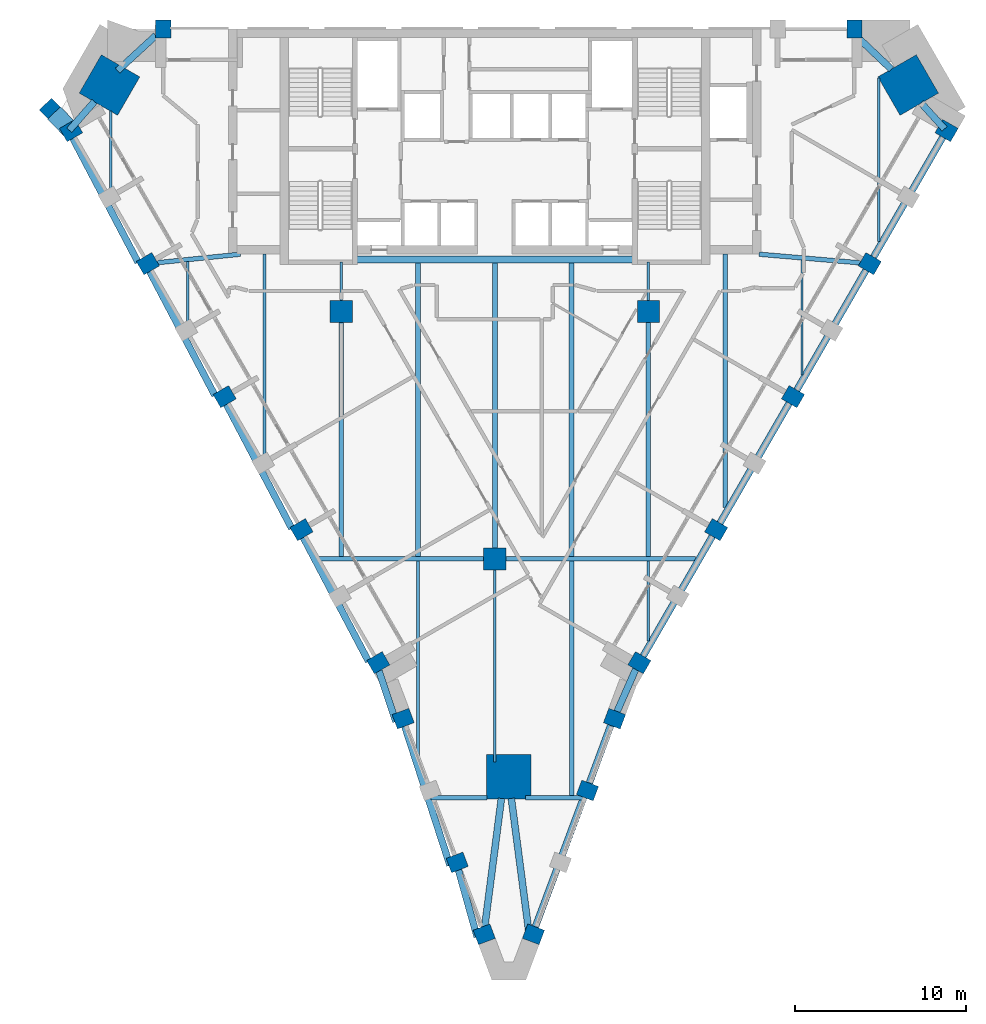
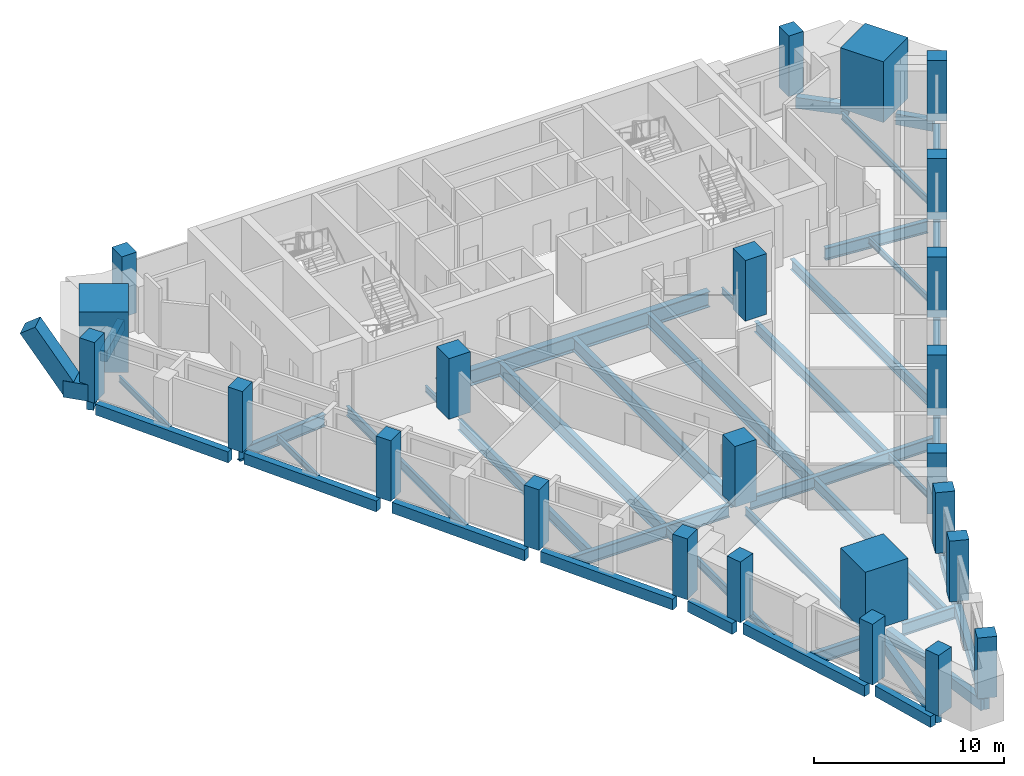
# One storey, part 1 of 9: 45 beams, 25 columns.
"""IFC4 building model written with IfcOpenShell, lengths in metres."""

from ifc_helpers import new_model, si_unit, direction, frame, origin, origin_2d, place, context, subcontext, project, spatial, rectangle, i_section, extrude, material, material_profile, profile_set, type_object, element, save


model = new_model("IFC4")

# Units and contexts
model_context = context("Model", 3, precision=1e-05, world=origin(), true_north=direction((0.0, 1.0)))
body_context = subcontext(model_context, "Body", "Model", "MODEL_VIEW")
ifc_project = project(units=[si_unit("LENGTHUNIT", "METRE"), si_unit("AREAUNIT", "SQUARE_METRE"), si_unit("VOLUMEUNIT", "CUBIC_METRE"), si_unit("PLANEANGLEUNIT", "RADIAN"), si_unit("MASSUNIT", "GRAM", prefix="KILO")], contexts=[model_context])

# Site, building, storey
site_placement = place(None, origin())
site = spatial("IfcSite", under=ifc_project, at=site_placement, CompositionType="ELEMENT")
building_placement = place(site_placement, origin())
building = spatial("IfcBuilding", under=site, at=building_placement, Name="Calabash Gate Tower", CompositionType="ELEMENT")
storey_placement = place(building_placement, frame((0.0, 0.0, 179.699951171875)))
storey = spatial("IfcBuildingStorey", under=building, at=storey_placement, Name="L42", CompositionType="ELEMENT", Elevation=179.699951171875)

# Columns
ifc_material_1 = material(Name="Concrete C70/85", Category="concrete")
ifc_material_profile_1 = material_profile(ifc_material_1, rectangle(XDim=1.300048828125, YDim=1.300048828125, at=origin_2d()))
ifc_profile_set_1 = profile_set([ifc_material_profile_1], Name="Concrete C70/85")
column_type_1 = type_object("IfcColumnType", Name="Interior column RC 1300x1300 Concrete C70/85", PredefinedType="COLUMN", material=ifc_profile_set_1)
for number, where, z_axis, x_axis, name in (
    (1, (-9.0, 2.5, 0.0), (0.0, 0.0, 1.0), (1.0, 0.0, 0.0), "Interior column L42 I0"),
    (2, (9.0, 2.5, 0.0), (0.0, 0.0, 1.0), (1.0, 0.0, 0.0), "Interior column L42 I1"),
    (3, (0.0, -12.0, 0.0), (0.0, 0.0, 1.0), (1.0, 0.0, 0.0), "Interior column L42 I2"),
):
    element("IfcColumn", number, at=place(storey_placement, frame(where, z_axis=z_axis, x_axis=x_axis)), inside=storey, type_object=column_type_1, Name=name, PredefinedType="COLUMN", context=body_context, shape_type="SweptSolid", body=[
        extrude(rectangle(XDim=1.300048828125, YDim=1.300048828125, at=origin_2d()), origin(), (0.0, 0.0, 1.0), 3.900146484375),
    ])
ifc_material_2 = material(Name="Concrete C70/85", Category="concrete")
ifc_material_profile_2 = material_profile(ifc_material_2, rectangle(XDim=2.60009765625, YDim=2.60009765625, at=origin_2d()))
ifc_profile_set_2 = profile_set([ifc_material_profile_2], Name="Concrete C70/85")
column_type_2 = type_object("IfcColumnType", Name="Mega column RC 2600x2600 Concrete C70/85", PredefinedType="COLUMN", material=ifc_profile_set_2)
for number, where, z_axis, x_axis, name in (
    (4, (-22.577880859375, 15.76806640625, 0.0), (0.0, 0.0, 1.0), (0.866025421238, -0.49999996977, 0.0), "Mega column L42 NW"),
    (5, (24.221923828125, 15.76806640625, 0.0), (0.0, 0.0, 1.0), (-0.866025421238, -0.49999996977, 0.0), "Mega column L42 NE"),
    (6, (0.822021484375, -24.762939453125, 0.0), (0.0, 0.0, 1.0), (0.0, 1.0, 0.0), "Mega column L42 S"),
):
    element("IfcColumn", number, at=place(storey_placement, frame(where, z_axis=z_axis, x_axis=x_axis)), inside=storey, type_object=column_type_2, Name=name, PredefinedType="COLUMN", context=body_context, shape_type="SweptSolid", body=[
        extrude(rectangle(XDim=2.60009765625, YDim=2.60009765625, at=origin_2d()), origin(), (0.0, 0.0, 1.0), 3.900146484375),
    ])
ifc_material_3 = material(Name="Concrete C60/75", Category="concrete")
ifc_material_profile_3 = material_profile(ifc_material_3, rectangle(XDim=0.89990234375, YDim=1.050048828125, at=origin_2d()))
ifc_profile_set_3 = profile_set([ifc_material_profile_3], Name="Concrete C60/75")
column_type_3 = type_object("IfcColumnType", Name="Perimeter column RC 900x1050 Concrete C60/75", PredefinedType="COLUMN", material=ifc_profile_set_3)
for number, where, z_axis, x_axis, name in (
    (7, (-24.827880859375, 13.096923828125, 0.0), (0.0, 0.0, 1.0), (0.5, -0.866025403784, 0.0), "Perimeter column L42 P20"),
    (8, (-20.327880859375, 5.300048828125, 0.0), (0.0, 0.0, 1.0), (0.5, -0.866025403784, 0.0), "Perimeter column L42 P00"),
    (9, (-15.827880859375, -2.493896484375, 0.0), (0.0, 0.0, 1.0), (0.5, -0.866025403784, 0.0), "Perimeter column L42 P01"),
    (10, (-11.327880859375, -10.2880859375, 0.0), (0.0, 0.0, 1.0), (0.5, -0.866025403784, 0.0), "Perimeter column L42 P02"),
    (11, (-6.827880859375, -18.08203125, 0.0), (0.0, 0.0, 1.0), (0.5, -0.866025403784, 0.0), "Perimeter column L42 P03"),
    (12, (-5.3701171875, -21.35888671875, 0.0), (0.0, 0.0, 1.0), (0.351822500991, -0.936066732555, 0.0), "Perimeter column L42 P25"),
    (13, (-2.202880859375, -29.783935546875, 0.0), (0.0, 0.0, 1.0), (0.351822500991, -0.936066732555, 0.0), "Perimeter column L42 P26"),
    (14, (-0.6201171875, -33.99609375, 0.0), (0.0, 0.0, 1.0), (0.351822500991, -0.936066732555, 0.0), "Perimeter column L42 P27"),
    (15, (2.263916015625, -33.99609375, 0.0), (0.0, 0.0, 1.0), (0.351822451979, 0.936066750977, 0.0), "Perimeter column L42 P28"),
    (16, (5.429931640625, -25.571044921875, 0.0), (0.0, 0.0, 1.0), (0.351822451979, 0.936066750977, 0.0), "Perimeter column L42 P08"),
    (17, (7.012939453125, -21.35888671875, 0.0), (0.0, 0.0, 1.0), (0.351822451979, 0.936066750977, 0.0), "Perimeter column L42 P29"),
    (18, (8.471923828125, -18.08203125, 0.0), (0.0, 0.0, 1.0), (0.5, 0.866025403784, 0.0), "Perimeter column L42 P09"),
    (19, (12.971923828125, -10.2880859375, 0.0), (0.0, 0.0, 1.0), (0.5, 0.866025403784, 0.0), "Perimeter column L42 P10"),
    (20, (17.471923828125, -2.493896484375, 0.0), (0.0, 0.0, 1.0), (0.5, 0.866025403784, 0.0), "Perimeter column L42 P11"),
    (21, (21.971923828125, 5.300048828125, 0.0), (0.0, 0.0, 1.0), (0.5, 0.866025403784, 0.0), "Perimeter column L42 P12"),
    (22, (26.471923828125, 13.096923828125, 0.0), (0.0, 0.0, 1.0), (0.5, 0.866025403784, 0.0), "Perimeter column L42 P13"),
    (23, (21.072021484375, 19.052978515625, 0.0), (0.0, 0.0, 1.0), (-1.0, 0.0, 0.0), "Perimeter column L42 P24"),
    (24, (-19.427978515625, 19.052978515625, 0.0), (0.0, 0.0, 1.0), (-1.0, 0.0, 0.0), "Perimeter column L42 P17"),
):
    element("IfcColumn", number, at=place(storey_placement, frame(where, z_axis=z_axis, x_axis=x_axis)), inside=storey, type_object=column_type_3, Name=name, PredefinedType="COLUMN", context=body_context, shape_type="SweptSolid", body=[
        extrude(rectangle(XDim=0.89990234375, YDim=1.050048828125, at=origin_2d()), origin(), (0.0, 0.0, 1.0), 3.900146484375),
    ])
ifc_material_4 = material(Name="Concrete C80/95", Category="concrete")
ifc_material_profile_4 = material_profile(ifc_material_4, rectangle(XDim=1.0, YDim=1.0, at=origin_2d()))
ifc_profile_set_4 = profile_set([ifc_material_profile_4], Name="Concrete C80/95")
column_type_4 = type_object("IfcColumnType", Name="Prow kicker column RC 1000x1000 Concrete C80/95", PredefinedType="COLUMN", material=ifc_profile_set_4)
column_placement = place(storey_placement, frame((-25.527099609375, 13.820068359375, 0.380126953125), z_axis=(-0.387672764184, 0.402968070514, 0.829051603977), x_axis=(0.574779619182, -0.597457070784, 0.55917210047)))
element("IfcColumn", 25, at=column_placement, inside=storey, type_object=column_type_4, Name="Prow kicker column L42 KP34", PredefinedType="COLUMN", context=body_context, shape_type="SweptSolid", body=[
    extrude(rectangle(XDim=1.0, YDim=1.0, at=origin_2d()), origin(), (0.0, 0.0, 1.0), 4.245849609375),
])

# Beams
ifc_material_5 = material(Name="Concrete C50/60", Category="concrete")
ifc_material_profile_5 = material_profile(ifc_material_5, rectangle(XDim=0.39990234375, YDim=0.699951171875, at=origin_2d()))
ifc_profile_set_5 = profile_set([ifc_material_profile_5], Name="Concrete C50/60")
beam_type_1 = type_object("IfcBeamType", Name="Edge beam RC 400x700 Concrete C50/60", PredefinedType="BEAM", material=ifc_profile_set_5)
for number, where, z_axis, x_axis, name in (
    (26, (-15.73291015625, -2.927978515625, -0.52001953125), (0.465570473205, -0.885010810374, 0.0), (0.885010810374, 0.465570473205, 0.0), "Edge beam L42 1"),
    (27, (-11.23291015625, -10.721923828125, -0.52001953125), (0.465570473205, -0.885010810374, 0.0), (0.885010810374, 0.465570473205, 0.0), "Edge beam L42 2"),
):
    element("IfcBeam", number, at=place(storey_placement, frame(where, z_axis=z_axis, x_axis=x_axis)), inside=storey, type_object=beam_type_1, Name=name, PredefinedType="BEAM", context=body_context, shape_type="SweptSolid", body=[
        extrude(rectangle(XDim=0.39990234375, YDim=0.699951171875, at=origin_2d()), origin(), (0.0, 0.0, 1.0), 8.235107421875),
    ])
beam_1_placement = place(storey_placement, frame((-6.7880859375, -18.56103515625, -0.52001953125), z_axis=(0.316134210582, -0.94871447807, 0.0), x_axis=(0.94871447807, 0.316134210582, 0.0)))
element("IfcBeam", 28, at=beam_1_placement, inside=storey, type_object=beam_type_1, Name="Edge beam L42 3", PredefinedType="BEAM", context=body_context, shape_type="SweptSolid", body=[
    extrude(rectangle(XDim=0.39990234375, YDim=0.699951171875, at=origin_2d()), origin(), (0.0, 0.0, 1.0), 3.131591796875),
])
beam_2_placement = place(storey_placement, frame((-5.285888671875, -21.780029296875, -0.52001953125), z_axis=(0.309062313069, -0.951041790165, 0.0), x_axis=(0.951041790165, 0.309062313069, 0.0)))
element("IfcBeam", 29, at=beam_2_placement, inside=storey, type_object=beam_type_1, Name="Edge beam L42 4", PredefinedType="BEAM", context=body_context, shape_type="SweptSolid", body=[
    extrude(rectangle(XDim=0.39990234375, YDim=0.699951171875, at=origin_2d()), origin(), (0.0, 0.0, 1.0), 8.596923828125),
])
beam_3_placement = place(storey_placement, frame((-2.132080078125, -30.220947265625, -0.52001953125), z_axis=(0.269266074932, -0.963065823758, 0.0), x_axis=(0.963065823758, 0.269266074932, 0.0)))
element("IfcBeam", 30, at=beam_3_placement, inside=storey, type_object=beam_type_1, Name="Edge beam L42 5", PredefinedType="BEAM", context=body_context, shape_type="SweptSolid", body=[
    extrude(rectangle(XDim=0.39990234375, YDim=0.699951171875, at=origin_2d()), origin(), (0.0, 0.0, 1.0), 4.08203125),
])
beam_4_placement = place(storey_placement, frame((-0.64794921875, -34.009033203125, -0.52001953125), z_axis=(0.128673439802, 0.991687020128, 0.0), x_axis=(-0.991687020128, 0.128673439802, 0.0)))
element("IfcBeam", 31, at=beam_4_placement, inside=storey, type_object=beam_type_1, Name="Edge beam L42 6", PredefinedType="BEAM", context=body_context, shape_type="SweptSolid", body=[
    extrude(rectangle(XDim=0.39990234375, YDim=0.699951171875, at=origin_2d()), origin(), (0.0, 0.0, 1.0), 8.04296875),
])
beam_5_placement = place(storey_placement, frame((0.968994140625, -26.032958984375, -0.52001953125), z_axis=(0.130054637387, -0.991506828667, 0.0), x_axis=(0.991506828667, 0.130054637387, 0.0)))
element("IfcBeam", 32, at=beam_5_placement, inside=storey, type_object=beam_type_1, Name="Edge beam L42 7", PredefinedType="BEAM", context=body_context, shape_type="SweptSolid", body=[
    extrude(rectangle(XDim=0.39990234375, YDim=0.699951171875, at=origin_2d()), origin(), (0.0, 0.0, 1.0), 8.212890625),
])
beam_6_placement = place(storey_placement, frame((2.136962890625, -34.20703125, -0.52001953125), z_axis=(0.349607583285, 0.936896225689, 0.0), x_axis=(-0.936896225689, 0.349607583285, 0.0)))
element("IfcBeam", 33, at=beam_6_placement, inside=storey, type_object=beam_type_1, Name="Edge beam L42 8", PredefinedType="BEAM", context=body_context, shape_type="SweptSolid", body=[
    extrude(rectangle(XDim=0.39990234375, YDim=0.699951171875, at=origin_2d()), origin(), (0.0, 0.0, 1.0), 8.81005859375),
])
beam_7_placement = place(storey_placement, frame((5.302978515625, -25.781982421875, -0.52001953125), z_axis=(0.346996920435, 0.937866268296, 0.0), x_axis=(-0.937866268296, 0.346996920435, 0.0)))
element("IfcBeam", 34, at=beam_7_placement, inside=storey, type_object=beam_type_1, Name="Edge beam L42 9", PredefinedType="BEAM", context=body_context, shape_type="SweptSolid", body=[
    extrude(rectangle(XDim=0.39990234375, YDim=0.699951171875, at=origin_2d()), origin(), (0.0, 0.0, 1.0), 4.308837890625),
])
beam_8_placement = place(storey_placement, frame((6.884033203125, -21.5791015625, -0.52001953125), z_axis=(0.403341784402, 0.915049400282, 0.0), x_axis=(-0.915049400282, 0.403341784402, 0.0)))
element("IfcBeam", 35, at=beam_8_placement, inside=storey, type_object=beam_type_1, Name="Edge beam L42 10", PredefinedType="BEAM", context=body_context, shape_type="SweptSolid", body=[
    extrude(rectangle(XDim=0.39990234375, YDim=0.699951171875, at=origin_2d()), origin(), (0.0, 0.0, 1.0), 3.404296875),
])
beam_9_placement = place(storey_placement, frame((8.48095703125, -18.06689453125, -0.52001953125), z_axis=(0.499855959696, 0.866108549523, 0.0), x_axis=(-0.866108549523, 0.499855959696, 0.0)))
element("IfcBeam", 36, at=beam_9_placement, inside=storey, type_object=beam_type_1, Name="Edge beam L42 11", PredefinedType="BEAM", context=body_context, shape_type="SweptSolid", body=[
    extrude(rectangle(XDim=0.39990234375, YDim=0.699951171875, at=origin_2d()), origin(), (0.0, 0.0, 1.0), 8.54833984375),
])
beam_10_placement = place(storey_placement, frame((12.98095703125, -10.27197265625, -0.52001953125), z_axis=(0.500004369671, 0.866022880939, 0.0), x_axis=(-0.866022880939, 0.500004369671, 0.0)))
element("IfcBeam", 37, at=beam_10_placement, inside=storey, type_object=beam_type_1, Name="Edge beam L42 12", PredefinedType="BEAM", context=body_context, shape_type="SweptSolid", body=[
    extrude(rectangle(XDim=0.39990234375, YDim=0.699951171875, at=origin_2d()), origin(), (0.0, 0.0, 1.0), 8.5458984375),
])
beam_11_placement = place(storey_placement, frame((17.48095703125, -2.47802734375, -0.52001953125), z_axis=(0.499991999368, 0.866030022902, 0.0), x_axis=(-0.866030022902, 0.499991999368, 0.0)))
element("IfcBeam", 38, at=beam_11_placement, inside=storey, type_object=beam_type_1, Name="Edge beam L42 13", PredefinedType="BEAM", context=body_context, shape_type="SweptSolid", body=[
    extrude(rectangle(XDim=0.39990234375, YDim=0.699951171875, at=origin_2d()), origin(), (0.0, 0.0, 1.0), 8.546142578125),
])
beam_12_placement = place(storey_placement, frame((21.98095703125, 5.31591796875, -0.52001953125), z_axis=(0.499942523257, 0.866058585455, 0.0), x_axis=(-0.866058585455, 0.499942523257, 0.0)))
element("IfcBeam", 39, at=beam_12_placement, inside=storey, type_object=beam_type_1, Name="Edge beam L42 14", PredefinedType="BEAM", context=body_context, shape_type="SweptSolid", body=[
    extrude(rectangle(XDim=0.39990234375, YDim=0.699951171875, at=origin_2d()), origin(), (0.0, 0.0, 1.0), 8.546875),
])
beam_13_placement = place(storey_placement, frame((26.35400390625, 13.197021484375, -0.52001953125), z_axis=(-0.671618813869, 0.740896867896, 0.0), x_axis=(-0.740896867896, -0.671618813869, 0.0)))
element("IfcBeam", 40, at=beam_13_placement, inside=storey, type_object=beam_type_1, Name="Edge beam L42 15", PredefinedType="BEAM", context=body_context, shape_type="SweptSolid", body=[
    extrude(rectangle(XDim=0.39990234375, YDim=0.699951171875, at=origin_2d()), origin(), (0.0, 0.0, 1.0), 2.065185546875),
])
beam_14_placement = place(storey_placement, frame((23.242919921875, 16.68603515625, -0.52001953125), z_axis=(-0.725726019307, 0.687983826045, 0.0), x_axis=(-0.687983826045, -0.725726019307, 0.0)))
element("IfcBeam", 41, at=beam_14_placement, inside=storey, type_object=beam_type_1, Name="Edge beam L42 16", PredefinedType="BEAM", context=body_context, shape_type="SweptSolid", body=[
    extrude(rectangle(XDim=0.39990234375, YDim=0.699951171875, at=origin_2d()), origin(), (0.0, 0.0, 1.0), 2.859130859375),
])
beam_15_placement = place(storey_placement, frame((-19.860107421875, 18.6708984375, -0.52001953125), z_axis=(-0.735999636609, -0.676981931008, 0.0), x_axis=(0.676981931008, -0.735999636609, 0.0)))
element("IfcBeam", 42, at=beam_15_placement, inside=storey, type_object=beam_type_1, Name="Edge beam L42 17", PredefinedType="BEAM", context=body_context, shape_type="SweptSolid", body=[
    extrude(rectangle(XDim=0.39990234375, YDim=0.699951171875, at=origin_2d()), origin(), (0.0, 0.0, 1.0), 3.048828125),
])
beam_16_placement = place(storey_placement, frame((-23.4580078125, 14.797119140625, -0.52001953125), z_axis=(-0.660495074978, -0.750830377602, 0.0), x_axis=(0.750830377602, -0.660495074978, 0.0)))
element("IfcBeam", 43, at=beam_16_placement, inside=storey, type_object=beam_type_1, Name="Edge beam L42 18", PredefinedType="BEAM", context=body_context, shape_type="SweptSolid", body=[
    extrude(rectangle(XDim=0.39990234375, YDim=0.699951171875, at=origin_2d()), origin(), (0.0, 0.0, 1.0), 2.23779296875),
])
for number, where, z_axis, x_axis, name in (
    (44, (-24.73291015625, 12.660888671875, -0.52001953125), (0.465582688922, -0.885004384043, 0.0), (0.885004384043, 0.465582688922, 0.0), "Edge beam L42 19"),
    (45, (-20.23291015625, 4.866943359375, -0.52001953125), (0.465582688922, -0.885004384043, 0.0), (0.885004384043, 0.465582688922, 0.0), "Edge beam L42 20"),
):
    element("IfcBeam", number, at=place(storey_placement, frame(where, z_axis=z_axis, x_axis=x_axis)), inside=storey, type_object=beam_type_1, Name=name, PredefinedType="BEAM", context=body_context, shape_type="SweptSolid", body=[
        extrude(rectangle(XDim=0.39990234375, YDim=0.699951171875, at=origin_2d()), origin(), (0.0, 0.0, 1.0), 8.23486328125),
    ])
ifc_material_6 = material(Name="Steel ASTM A992 Gr50", Category="steel")
ifc_material_profile_6 = material_profile(ifc_material_6, i_section(OverallWidth=0.1396484375, OverallDepth=0.398681640625, WebThickness=0.00634765625, FlangeThickness=0.0087890625, FilletRadius=0.01025390625, at=origin_2d()))
ifc_profile_set_6 = profile_set([ifc_material_profile_6], Name="Steel ASTM A992 Gr50")
beam_type_2 = type_object("IfcBeamType", Name="Floor beam W16x26 ASTM A992 Gr50", PredefinedType="BEAM", material=ifc_profile_set_6)
beam_17_placement = place(storey_placement, frame((-22.5, 8.830078125, -0.368896484375), z_axis=(0.0, 1.0, 0.0), x_axis=(-1.0, 0.0, 0.0)))
element("IfcBeam", 46, at=beam_17_placement, inside=storey, type_object=beam_type_2, Name="Floor beam L42 1", PredefinedType="BEAM", context=body_context, shape_type="SweptSolid", body=[
    extrude(i_section(OverallWidth=0.1396484375, OverallDepth=0.398681640625, WebThickness=0.00634765625, FlangeThickness=0.0087890625, FilletRadius=0.01025390625, at=origin_2d()), origin(), (0.0, 0.0, 1.0), 5.410888671875),
])
beam_18_placement = place(storey_placement, frame((-18.0, 1.035888671875, -0.368896484375), z_axis=(0.0, 1.0, 0.0), x_axis=(-1.0, 0.0, 0.0)))
element("IfcBeam", 47, at=beam_18_placement, inside=storey, type_object=beam_type_2, Name="Floor beam L42 2", PredefinedType="BEAM", context=body_context, shape_type="SweptSolid", body=[
    extrude(i_section(OverallWidth=0.1396484375, OverallDepth=0.398681640625, WebThickness=0.00634765625, FlangeThickness=0.0087890625, FilletRadius=0.01025390625, at=origin_2d()), origin(), (0.0, 0.0, 1.0), 4.39111328125),
])
beam_19_placement = place(storey_placement, frame((-9.0, 3.14990234375, -0.368896484375), z_axis=(0.0, 1.0, 0.0), x_axis=(-1.0, 0.0, 0.0)))
element("IfcBeam", 48, at=beam_19_placement, inside=storey, type_object=beam_type_2, Name="Floor beam L42 5", PredefinedType="BEAM", context=body_context, shape_type="SweptSolid", body=[
    extrude(i_section(OverallWidth=0.1396484375, OverallDepth=0.398681640625, WebThickness=0.00634765625, FlangeThickness=0.0087890625, FilletRadius=0.01025390625, at=origin_2d()), origin(), (0.0, 0.0, 1.0), 2.253173828125),
])
beam_20_placement = place(storey_placement, frame((9.0, -16.799072265625, -0.368896484375), z_axis=(0.0, 1.0, 0.0), x_axis=(-1.0, 0.0, 0.0)))
element("IfcBeam", 49, at=beam_20_placement, inside=storey, type_object=beam_type_2, Name="Floor beam L42 12", PredefinedType="BEAM", context=body_context, shape_type="SweptSolid", body=[
    extrude(i_section(OverallWidth=0.1396484375, OverallDepth=0.398681640625, WebThickness=0.00634765625, FlangeThickness=0.0087890625, FilletRadius=0.01025390625, at=origin_2d()), origin(), (0.0, 0.0, 1.0), 4.666015625),
])
beam_21_placement = place(storey_placement, frame((9.0, 3.14990234375, -0.368896484375), z_axis=(0.0, 1.0, 0.0), x_axis=(-1.0, 0.0, 0.0)))
element("IfcBeam", 50, at=beam_21_placement, inside=storey, type_object=beam_type_2, Name="Floor beam L42 14", PredefinedType="BEAM", context=body_context, shape_type="SweptSolid", body=[
    extrude(i_section(OverallWidth=0.1396484375, OverallDepth=0.398681640625, WebThickness=0.00634765625, FlangeThickness=0.0087890625, FilletRadius=0.01025390625, at=origin_2d()), origin(), (0.0, 0.0, 1.0), 2.253173828125),
])
beam_22_placement = place(storey_placement, frame((18.0, -1.2109375, -0.368896484375), z_axis=(0.0, 1.0, 0.0), x_axis=(-1.0, 0.0, 0.0)))
element("IfcBeam", 51, at=beam_22_placement, inside=storey, type_object=beam_type_2, Name="Floor beam L42 16", PredefinedType="BEAM", context=body_context, shape_type="SweptSolid", body=[
    extrude(i_section(OverallWidth=0.1396484375, OverallDepth=0.398681640625, WebThickness=0.00634765625, FlangeThickness=0.0087890625, FilletRadius=0.01025390625, at=origin_2d()), origin(), (0.0, 0.0, 1.0), 6.739013671875),
])
ifc_material_7 = material(Name="Steel ASTM A992 Gr50", Category="steel")
ifc_material_profile_7 = material_profile(ifc_material_7, i_section(OverallWidth=0.15234375, OverallDepth=0.44970703125, WebThickness=0.007568359375, FlangeThickness=0.0107421875, FilletRadius=0.01025390625, at=origin_2d()))
ifc_profile_set_7 = profile_set([ifc_material_profile_7], Name="Steel ASTM A992 Gr50")
beam_type_3 = type_object("IfcBeamType", Name="Floor beam W18x35 ASTM A992 Gr50", PredefinedType="BEAM", material=ifc_profile_set_7)
beam_23_placement = place(storey_placement, frame((22.5, 6.60302734375, -0.39306640625), z_axis=(0.0, 1.0, 0.0), x_axis=(-1.0, 0.0, 0.0)))
element("IfcBeam", 52, at=beam_23_placement, inside=storey, type_object=beam_type_3, Name="Floor beam L42 17", PredefinedType="BEAM", context=body_context, shape_type="SweptSolid", body=[
    extrude(i_section(OverallWidth=0.15234375, OverallDepth=0.44970703125, WebThickness=0.007568359375, FlangeThickness=0.0107421875, FilletRadius=0.01025390625, at=origin_2d()), origin(), (0.0, 0.0, 1.0), 9.573974609375),
])
ifc_material_8 = material(Name="Steel ASTM A992 Gr50", Category="steel")
ifc_material_profile_8 = material_profile(ifc_material_8, i_section(OverallWidth=0.166015625, OverallDepth=0.5283203125, WebThickness=0.009765625, FlangeThickness=0.013671875, FilletRadius=0.0126953125, at=origin_2d()))
ifc_profile_set_8 = profile_set([ifc_material_profile_8], Name="Steel ASTM A992 Gr50")
beam_type_4 = type_object("IfcBeamType", Name="Floor beam W21x50 ASTM A992 Gr50", PredefinedType="BEAM", material=ifc_profile_set_8)
beam_24_placement = place(storey_placement, frame((-4.5, -23.568115234375, -0.433837890625), z_axis=(0.0, 1.0, 0.0), x_axis=(-1.0, 0.0, 0.0)))
element("IfcBeam", 53, at=beam_24_placement, inside=storey, type_object=beam_type_4, Name="Floor beam L42 6", PredefinedType="BEAM", context=body_context, shape_type="SweptSolid", body=[
    extrude(i_section(OverallWidth=0.166015625, OverallDepth=0.5283203125, WebThickness=0.009765625, FlangeThickness=0.013671875, FilletRadius=0.0126953125, at=origin_2d()), origin(), (0.0, 0.0, 1.0), 11.43505859375),
])
beam_25_placement = place(storey_placement, frame((0.0, -23.89306640625, -0.433837890625), z_axis=(0.0, 1.0, 0.0), x_axis=(-1.0, 0.0, 0.0)))
element("IfcBeam", 54, at=beam_25_placement, inside=storey, type_object=beam_type_4, Name="Floor beam L42 8", PredefinedType="BEAM", context=body_context, shape_type="SweptSolid", body=[
    extrude(i_section(OverallWidth=0.166015625, OverallDepth=0.5283203125, WebThickness=0.009765625, FlangeThickness=0.013671875, FilletRadius=0.0126953125, at=origin_2d()), origin(), (0.0, 0.0, 1.0), 11.2431640625),
])
ifc_material_9 = material(Name="Steel ASTM A992 Gr50", Category="steel")
ifc_material_profile_9 = material_profile(ifc_material_9, i_section(OverallWidth=0.1787109375, OverallDepth=0.60205078125, WebThickness=0.010986328125, FlangeThickness=0.014892578125, FilletRadius=0.0126953125, at=origin_2d()))
ifc_profile_set_9 = profile_set([ifc_material_profile_9], Name="Steel ASTM A992 Gr50")
beam_type_5 = type_object("IfcBeamType", Name="Floor beam W24x62 ASTM A992 Gr50", PredefinedType="BEAM", material=ifc_profile_set_9)
beam_26_placement = place(storey_placement, frame((-13.5, -6.758056640625, -0.470947265625), z_axis=(0.0, 1.0, 0.0), x_axis=(-1.0, 0.0, 0.0)))
element("IfcBeam", 55, at=beam_26_placement, inside=storey, type_object=beam_type_5, Name="Floor beam L42 3", PredefinedType="BEAM", context=body_context, shape_type="SweptSolid", body=[
    extrude(i_section(OverallWidth=0.1787109375, OverallDepth=0.60205078125, WebThickness=0.010986328125, FlangeThickness=0.014892578125, FilletRadius=0.0126953125, at=origin_2d()), origin(), (0.0, 0.0, 1.0), 12.611083984375),
])
ifc_material_10 = material(Name="Steel ASTM A992 Gr50", Category="steel")
ifc_material_profile_10 = material_profile(ifc_material_10, i_section(OverallWidth=0.25390625, OverallDepth=0.67822265625, WebThickness=0.01171875, FlangeThickness=0.016357421875, FilletRadius=0.01513671875, at=origin_2d()))
ifc_profile_set_10 = profile_set([ifc_material_profile_10], Name="Steel ASTM A992 Gr50")
beam_type_6 = type_object("IfcBeamType", Name="Floor beam W27x84 ASTM A992 Gr50", PredefinedType="BEAM", material=ifc_profile_set_10)
beam_27_placement = place(storey_placement, frame((-9.0, -11.866943359375, -0.509033203125), z_axis=(0.0, 1.0, 0.0), x_axis=(-1.0, 0.0, 0.0)))
element("IfcBeam", 56, at=beam_27_placement, inside=storey, type_object=beam_type_6, Name="Floor beam L42 4", PredefinedType="BEAM", context=body_context, shape_type="SweptSolid", body=[
    extrude(i_section(OverallWidth=0.25390625, OverallDepth=0.67822265625, WebThickness=0.01171875, FlangeThickness=0.016357421875, FilletRadius=0.01513671875, at=origin_2d()), origin(), (0.0, 0.0, 1.0), 13.717041015625),
])
beam_28_placement = place(storey_placement, frame((4.5, -25.866943359375, -0.509033203125), z_axis=(0.0, 1.0, 0.0), x_axis=(-1.0, 0.0, 0.0)))
element("IfcBeam", 57, at=beam_28_placement, inside=storey, type_object=beam_type_6, Name="Floor beam L42 10", PredefinedType="BEAM", context=body_context, shape_type="SweptSolid", body=[
    extrude(i_section(OverallWidth=0.25390625, OverallDepth=0.67822265625, WebThickness=0.01171875, FlangeThickness=0.016357421875, FilletRadius=0.01513671875, at=origin_2d()), origin(), (0.0, 0.0, 1.0), 13.73388671875),
])
beam_29_placement = place(storey_placement, frame((9.0, -11.866943359375, -0.509033203125), z_axis=(0.0, 1.0, 0.0), x_axis=(-1.0, 0.0, 0.0)))
element("IfcBeam", 58, at=beam_29_placement, inside=storey, type_object=beam_type_6, Name="Floor beam L42 13", PredefinedType="BEAM", context=body_context, shape_type="SweptSolid", body=[
    extrude(i_section(OverallWidth=0.25390625, OverallDepth=0.67822265625, WebThickness=0.01171875, FlangeThickness=0.016357421875, FilletRadius=0.01513671875, at=origin_2d()), origin(), (0.0, 0.0, 1.0), 13.717041015625),
])
beam_30_placement = place(storey_placement, frame((13.5, -8.98291015625, -0.509033203125), z_axis=(0.0, 1.0, 0.0), x_axis=(-1.0, 0.0, 0.0)))
element("IfcBeam", 59, at=beam_30_placement, inside=storey, type_object=beam_type_6, Name="Floor beam L42 15", PredefinedType="BEAM", context=body_context, shape_type="SweptSolid", body=[
    extrude(i_section(OverallWidth=0.25390625, OverallDepth=0.67822265625, WebThickness=0.01171875, FlangeThickness=0.016357421875, FilletRadius=0.01513671875, at=origin_2d()), origin(), (0.0, 0.0, 1.0), 14.8359375),
])
ifc_material_11 = material(Name="Steel ASTM A992 Gr50", Category="steel")
ifc_material_profile_11 = material_profile(ifc_material_11, i_section(OverallWidth=0.2919921875, OverallDepth=0.845703125, WebThickness=0.015380859375, FlangeThickness=0.0244140625, FilletRadius=0.017822265625, at=origin_2d()))
ifc_profile_set_11 = profile_set([ifc_material_profile_11], Name="Steel ASTM A992 Gr50")
beam_type_7 = type_object("IfcBeamType", Name="Floor beam W33x141 ASTM A992 Gr50", PredefinedType="BEAM", material=ifc_profile_set_11)
beam_31_placement = place(storey_placement, frame((-4.5, -11.866943359375, -0.593017578125), z_axis=(0.0, 1.0, 0.0), x_axis=(-1.0, 0.0, 0.0)))
element("IfcBeam", 60, at=beam_31_placement, inside=storey, type_object=beam_type_7, Name="Floor beam L42 7", PredefinedType="BEAM", context=body_context, shape_type="SweptSolid", body=[
    extrude(i_section(OverallWidth=0.2919921875, OverallDepth=0.845703125, WebThickness=0.015380859375, FlangeThickness=0.0244140625, FilletRadius=0.017822265625, at=origin_2d()), origin(), (0.0, 0.0, 1.0), 17.218994140625),
])
beam_32_placement = place(storey_placement, frame((0.0, -11.35009765625, -0.593017578125), z_axis=(0.0, 1.0, 0.0), x_axis=(-1.0, 0.0, 0.0)))
element("IfcBeam", 61, at=beam_32_placement, inside=storey, type_object=beam_type_7, Name="Floor beam L42 9", PredefinedType="BEAM", context=body_context, shape_type="SweptSolid", body=[
    extrude(i_section(OverallWidth=0.2919921875, OverallDepth=0.845703125, WebThickness=0.015380859375, FlangeThickness=0.0244140625, FilletRadius=0.017822265625, at=origin_2d()), origin(), (0.0, 0.0, 1.0), 16.7021484375),
])
beam_33_placement = place(storey_placement, frame((4.5, -11.866943359375, -0.593017578125), z_axis=(0.0, 1.0, 0.0), x_axis=(-1.0, 0.0, 0.0)))
element("IfcBeam", 62, at=beam_33_placement, inside=storey, type_object=beam_type_7, Name="Floor beam L42 11", PredefinedType="BEAM", context=body_context, shape_type="SweptSolid", body=[
    extrude(i_section(OverallWidth=0.2919921875, OverallDepth=0.845703125, WebThickness=0.015380859375, FlangeThickness=0.0244140625, FilletRadius=0.017822265625, at=origin_2d()), origin(), (0.0, 0.0, 1.0), 17.218994140625),
])
ifc_material_12 = material(Name="Steel ASTM A992 Gr50", Category="steel")
ifc_material_profile_12 = material_profile(ifc_material_12, i_section(OverallWidth=0.2666015625, OverallDepth=0.77978515625, WebThickness=0.0166015625, FlangeThickness=0.030029296875, FilletRadius=0.0166015625, at=origin_2d()))
ifc_profile_set_12 = profile_set([ifc_material_profile_12], Name="Steel ASTM A992 Gr50")
beam_type_8 = type_object("IfcBeamType", Name="Girder W30x148 ASTM A992 Gr50", PredefinedType="BEAM", material=ifc_profile_set_12)
beam_34_placement = place(storey_placement, frame((-20.424072265625, 5.291015625, -0.56005859375), z_axis=(0.99481137357, 0.101736576587, 0.0), x_axis=(-0.101736576587, 0.99481137357, 0.0)))
element("IfcBeam", 63, at=beam_34_placement, inside=storey, type_object=beam_type_8, Name="Girder L42 2", PredefinedType="BEAM", context=body_context, shape_type="SweptSolid", body=[
    extrude(i_section(OverallWidth=0.2666015625, OverallDepth=0.77978515625, WebThickness=0.0166015625, FlangeThickness=0.030029296875, FilletRadius=0.0166015625, at=origin_2d()), origin(), (0.0, 0.0, 1.0), 5.552978515625),
])
beam_35_placement = place(storey_placement, frame((21.426025390625, 5.346923828125, -0.56005859375), z_axis=(-0.996372402391, 0.085100151319, 0.0), x_axis=(-0.085100151319, -0.996372402391, 0.0)))
element("IfcBeam", 64, at=beam_35_placement, inside=storey, type_object=beam_type_8, Name="Girder L42 3", PredefinedType="BEAM", context=body_context, shape_type="SweptSolid", body=[
    extrude(i_section(OverallWidth=0.2666015625, OverallDepth=0.77978515625, WebThickness=0.0166015625, FlangeThickness=0.030029296875, FilletRadius=0.0166015625, at=origin_2d()), origin(), (0.0, 0.0, 1.0), 5.958740234375),
])
beam_36_placement = place(storey_placement, frame((-10.35009765625, -12.0, -0.56005859375), z_axis=(1.0, 0.0, 0.0), x_axis=(0.0, 1.0, 0.0)))
element("IfcBeam", 65, at=beam_36_placement, inside=storey, type_object=beam_type_8, Name="Girder L42 4", PredefinedType="BEAM", context=body_context, shape_type="SweptSolid", body=[
    extrude(i_section(OverallWidth=0.2666015625, OverallDepth=0.77978515625, WebThickness=0.0166015625, FlangeThickness=0.030029296875, FilletRadius=0.0166015625, at=origin_2d()), origin(), (0.0, 0.0, 1.0), 9.7001953125),
])
beam_37_placement = place(storey_placement, frame((0.64990234375, -12.0, -0.56005859375), z_axis=(1.0, 0.0, 0.0), x_axis=(0.0, 1.0, 0.0)))
element("IfcBeam", 66, at=beam_37_placement, inside=storey, type_object=beam_type_8, Name="Girder L42 5", PredefinedType="BEAM", context=body_context, shape_type="SweptSolid", body=[
    extrude(i_section(OverallWidth=0.2666015625, OverallDepth=0.77978515625, WebThickness=0.0166015625, FlangeThickness=0.030029296875, FilletRadius=0.0166015625, at=origin_2d()), origin(), (0.0, 0.0, 1.0), 11.123046875),
])
beam_38_placement = place(storey_placement, frame((-3.72998046875, -26.0, -0.56005859375), z_axis=(1.0, 0.0, 0.0), x_axis=(0.0, 1.0, 0.0)))
element("IfcBeam", 67, at=beam_38_placement, inside=storey, type_object=beam_type_8, Name="Girder L42 6", PredefinedType="BEAM", context=body_context, shape_type="SweptSolid", body=[
    extrude(i_section(OverallWidth=0.2666015625, OverallDepth=0.77978515625, WebThickness=0.0166015625, FlangeThickness=0.030029296875, FilletRadius=0.0166015625, at=origin_2d()), origin(), (0.0, 0.0, 1.0), 3.277099609375),
])
beam_39_placement = place(storey_placement, frame((1.7900390625, -26.0, -0.56005859375), z_axis=(1.0, 0.0, 0.0), x_axis=(0.0, 1.0, 0.0)))
element("IfcBeam", 68, at=beam_39_placement, inside=storey, type_object=beam_type_8, Name="Girder L42 7", PredefinedType="BEAM", context=body_context, shape_type="SweptSolid", body=[
    extrude(i_section(OverallWidth=0.2666015625, OverallDepth=0.77978515625, WebThickness=0.0166015625, FlangeThickness=0.030029296875, FilletRadius=0.0166015625, at=origin_2d()), origin(), (0.0, 0.0, 1.0), 3.531005859375),
])
ifc_material_13 = material(Name="Steel ASTM A992 Gr50", Category="steel")
ifc_material_profile_13 = material_profile(ifc_material_13, i_section(OverallWidth=0.4013671875, OverallDepth=1.000732421875, WebThickness=0.01904296875, FlangeThickness=0.0361328125, FilletRadius=0.030029296875, at=origin_2d()))
ifc_profile_set_13 = profile_set([ifc_material_profile_13], Name="Steel ASTM A992 Gr50")
beam_type_9 = type_object("IfcBeamType", Name="Girder W40x249 ASTM A992 Gr50", PredefinedType="BEAM", material=ifc_profile_set_13)
beam_40_placement = place(storey_placement, frame((-8.25, 5.552978515625, -0.669921875), z_axis=(1.0, 0.0, 0.0), x_axis=(0.0, 1.0, 0.0)))
element("IfcBeam", 69, at=beam_40_placement, inside=storey, type_object=beam_type_9, Name="Girder L42 1", PredefinedType="BEAM", context=body_context, shape_type="SweptSolid", body=[
    extrude(i_section(OverallWidth=0.4013671875, OverallDepth=1.000732421875, WebThickness=0.01904296875, FlangeThickness=0.0361328125, FilletRadius=0.030029296875, at=origin_2d()), origin(), (0.0, 0.0, 1.0), 16.5),
])
ifc_material_14 = material(Name="Concrete C80/95", Category="concrete")
ifc_material_profile_14 = material_profile(ifc_material_14, rectangle(XDim=1.050048828125, YDim=1.050048828125, at=origin_2d()))
ifc_profile_set_14 = profile_set([ifc_material_profile_14], Name="Concrete C80/95")
beam_type_10 = type_object("IfcBeamType", Name="Transfer node RC 1050x1050 Concrete C80/95", PredefinedType="BEAM", material=ifc_profile_set_14)
beam_41_placement = place(storey_placement, frame((-24.827880859375, 13.096923828125, 0.527099609375), z_axis=(-0.694449266165, 0.71954167129, 0.0), x_axis=(-0.71954167129, -0.694449266165, 0.0)))
element("IfcBeam", 70, at=beam_41_placement, inside=storey, type_object=beam_type_10, Name="Transfer node L45 prow foot P34", PredefinedType="BEAM", context=body_context, shape_type="SweptSolid", body=[
    extrude(rectangle(XDim=1.050048828125, YDim=1.050048828125, at=origin_2d()), origin(), (0.0, 0.0, 1.0), 1.43994140625),
])

save(model, "model.ifc")
